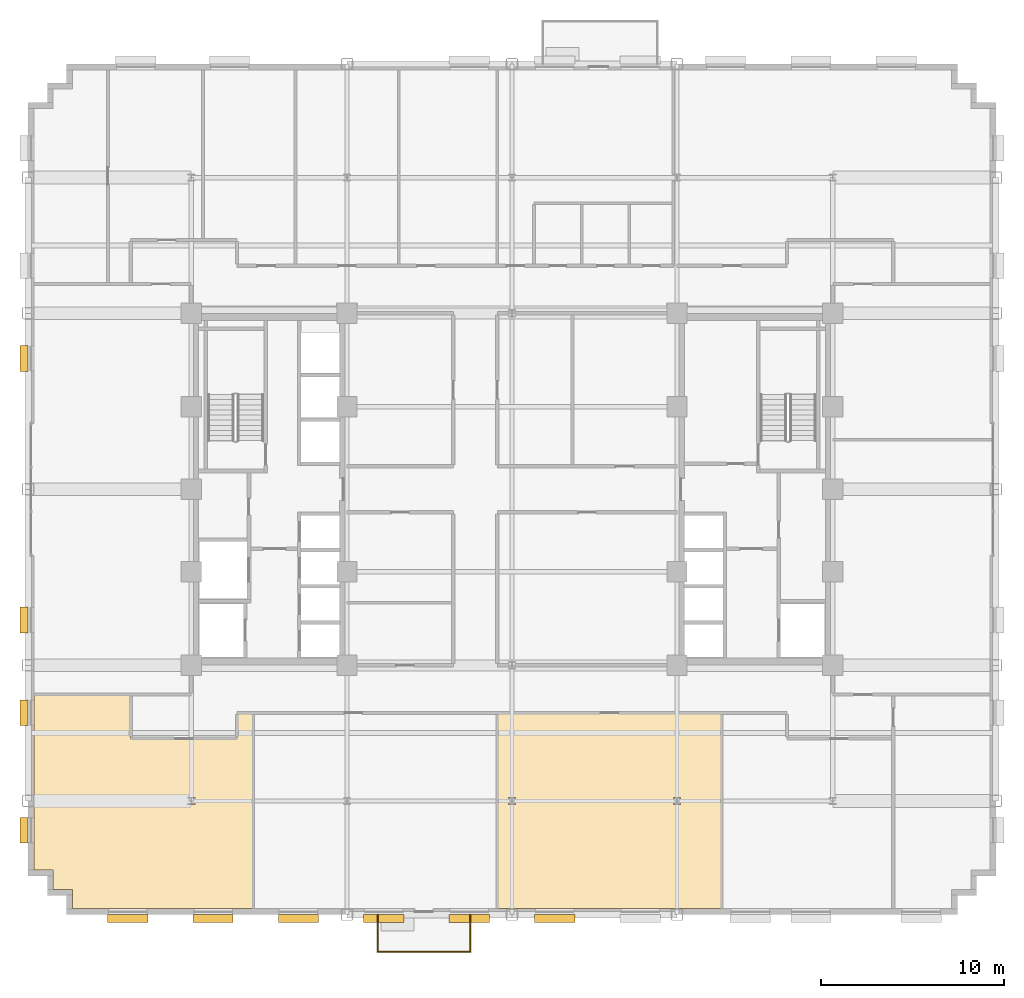
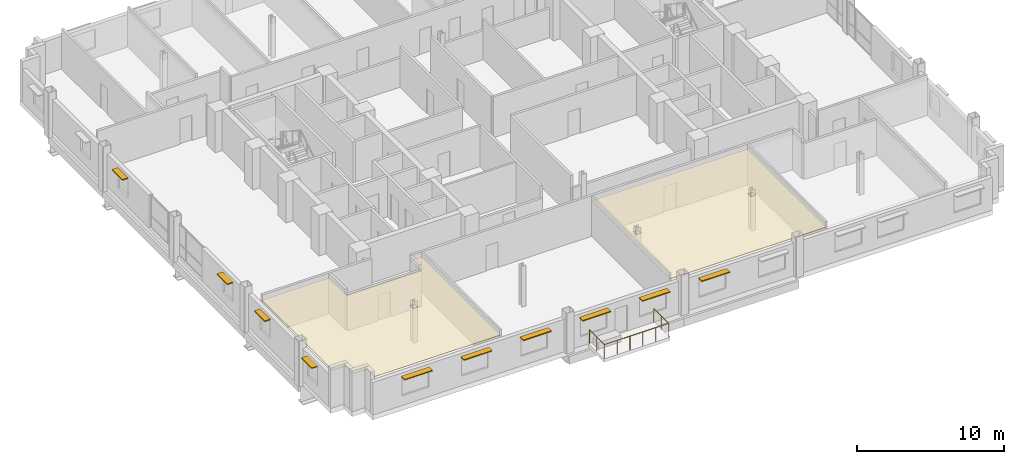
# One storey, part 13 of 16: 10 shading devices, 2 coverings, 1 railing.
"""IFC4 building model written with IfcOpenShell, lengths in metres."""

import ifcopenshell
import ifcopenshell.guid

model = None  # the IFC model being written
_history = None  # IfcOwnerHistory: only IFC2X3 demands one
_inside = {}  # id of a spatial element -> (the spatial element, [elements in it])
_under = {}  # id of a project, library or spatial element -> (it, [spatial elements below it])
_declared = {}  # id of a project -> (the project, [libraries it declares])
_typed = {}  # id of a type object -> (the type object, [elements of that type])
_made_of = {}  # id of a material, layer set ... -> (it, [elements and type objects made of it])


def new_model(schema):
    """Start an empty IFC model of exactly this schema.

    Asked for "IFC4X3", IfcOpenShell would pick the latest addendum, in which some entities
    have other attributes; the version numbers below select the first issue.
    IFC2X3 requires an IfcOwnerHistory on every rooted entity: one is made here for all.
    """
    global model, _history
    if schema == "IFC4X3":
        model = ifcopenshell.file(schema_version=(4, 3, 0, 0))
    else:
        model = ifcopenshell.file(schema=schema)
    _inside.clear()
    _under.clear()
    _declared.clear()
    _typed.clear()
    _made_of.clear()
    _history = None
    if model.schema == "IFC2X3":
        org = make("IfcOrganization", Name="unknown")
        user = make(
            "IfcPersonAndOrganization",
            ThePerson=make("IfcPerson", FamilyName="unknown"),
            TheOrganization=org,
        )
        app = make(
            "IfcApplication",
            ApplicationDeveloper=org,
            Version="unknown",
            ApplicationFullName="unknown",
            ApplicationIdentifier="unknown",
        )
        _history = make(
            "IfcOwnerHistory",
            OwningUser=user,
            OwningApplication=app,
            ChangeAction="ADDED",
            CreationDate=0,
        )
    return model


def make(cls, **values):
    """One entity of the class cls with the attributes given. An attribute that is None is left unset."""
    return model.create_entity(
        cls, **{name: value for name, value in values.items() if value is not None}
    )


def rooted(cls, **values):
    """An entity with a GlobalId (a new one), such as an element, a storey or a relation."""
    return make(cls, GlobalId=ifcopenshell.guid.new(), OwnerHistory=_history, **values)


def si_unit(unit_type, name, prefix=None):
    """IfcSIUnit, for example si_unit("LENGTHUNIT", "METRE", prefix="MILLI")."""
    return make("IfcSIUnit", UnitType=unit_type, Prefix=prefix, Name=name)


def assignment(units):
    """IfcUnitAssignment: the units of a project."""
    return None if units is None else make("IfcUnitAssignment", Units=units)


def point(xyz):
    """IfcCartesianPoint."""
    return None if xyz is None else make("IfcCartesianPoint", Coordinates=xyz)


def direction(xyz):
    """IfcDirection."""
    return None if xyz is None else make("IfcDirection", DirectionRatios=xyz)


def frame(location, z_axis=None, x_axis=None):
    """IfcAxis2Placement3D, a coordinate frame: its origin and axes. An axis left out is left unset."""
    return make(
        "IfcAxis2Placement3D",
        Location=point(location),
        Axis=direction(z_axis),
        RefDirection=direction(x_axis),
    )


def frame_2d(location, x_axis=None):
    """IfcAxis2Placement2D, a coordinate frame in the plane: its origin and x axis."""
    return make(
        "IfcAxis2Placement2D", Location=point(location), RefDirection=direction(x_axis)
    )


def origin():
    """The frame at (0, 0, 0) with its axes left unset."""
    return frame((0.0, 0.0, 0.0))


def origin_2d():
    """The frame at (0, 0) in the plane with its x axis left unset."""
    return frame_2d((0.0, 0.0))


def place(relative_to, where):
    """IfcLocalPlacement: puts the frame where relative to a parent placement (None: the world)."""
    return make(
        "IfcLocalPlacement", PlacementRelTo=relative_to, RelativePlacement=where
    )


def context(
    kind, dimensions, precision=None, world=None, true_north=None, identifier=None
):
    """IfcGeometricRepresentationContext, for example the 3D "Model" context."""
    return make(
        "IfcGeometricRepresentationContext",
        ContextIdentifier=identifier,
        ContextType=kind,
        CoordinateSpaceDimension=dimensions,
        Precision=precision,
        WorldCoordinateSystem=world,
        TrueNorth=true_north,
    )


def subcontext(parent, identifier, kind, view, scale=None):
    """IfcGeometricRepresentationSubContext, for example "Body" below "Model"."""
    return make(
        "IfcGeometricRepresentationSubContext",
        ContextIdentifier=identifier,
        ContextType=kind,
        ParentContext=parent,
        TargetScale=scale,
        TargetView=view,
    )


def project(units=None, contexts=None):
    """IfcProject with its units and contexts."""
    return rooted(
        "IfcProject",
        Name="project",
        RepresentationContexts=contexts,
        UnitsInContext=assignment(units),
    )


def spatial(cls, under=None, at=None, **own):
    """A site, building, storey or space (cls), placed at a placement, below another one or the project."""
    s = rooted(cls, ObjectPlacement=at, **own)
    if under is not None:
        _under.setdefault(under.id(), (under, []))[1].append(s)
    return s


def polyline(points):
    """IfcPolyline through the points."""
    return make("IfcPolyline", Points=[point(p) for p in points])


def profile(cls, at=None, kind="AREA", **sizes):
    """A parametric profile (cls). Its sizes go by their IFC names, for example OverallWidth=200.0."""
    return make(cls, ProfileType=kind, Position=at, **sizes)


def rectangle(**sizes):
    """IfcRectangleProfileDef."""
    return profile("IfcRectangleProfileDef", **sizes)


def circle(**sizes):
    """IfcCircleProfileDef."""
    return profile("IfcCircleProfileDef", **sizes)


def outline(outer, holes=None, kind="AREA"):
    """IfcArbitraryClosedProfileDef: a profile drawn as a closed curve; with holes, ...WithVoids."""
    if holes is None:
        return make("IfcArbitraryClosedProfileDef", ProfileType=kind, OuterCurve=outer)
    return make(
        "IfcArbitraryProfileDefWithVoids",
        ProfileType=kind,
        OuterCurve=outer,
        InnerCurves=holes,
    )


def extrude(swept, where, along, depth):
    """IfcExtrudedAreaSolid: the profile swept, set in the frame where, extruded along a direction by depth."""
    return make(
        "IfcExtrudedAreaSolid",
        SweptArea=swept,
        Position=where,
        ExtrudedDirection=direction(along),
        Depth=depth,
    )


def shape(context_of_items, identifier, shape_type, items):
    """IfcShapeRepresentation: the items that make up one representation, for example the "Body"."""
    return make(
        "IfcShapeRepresentation",
        ContextOfItems=context_of_items,
        RepresentationIdentifier=identifier,
        RepresentationType=shape_type,
        Items=items,
    )


def source(mapping_origin, context_of_items, identifier, shape_type, items):
    """IfcRepresentationMap: a shape defined once, which mapped items show again and again."""
    return make(
        "IfcRepresentationMap",
        MappingOrigin=mapping_origin,
        MappedRepresentation=shape(context_of_items, identifier, shape_type, items),
    )


def transform(
    local_origin,
    x_axis=None,
    y_axis=None,
    z_axis=None,
    scale=None,
    scale2=None,
    scale3=None,
    uniform=True,
):
    """IfcCartesianTransformationOperator3D, or its non-uniform kind. x_axis, y_axis, z_axis: its Axis1, 2, 3."""
    if uniform:
        return make(
            "IfcCartesianTransformationOperator3D",
            Axis1=direction(x_axis),
            Axis2=direction(y_axis),
            LocalOrigin=point(local_origin),
            Scale=scale,
            Axis3=direction(z_axis),
        )
    return make(
        "IfcCartesianTransformationOperator3DnonUniform",
        Axis1=direction(x_axis),
        Axis2=direction(y_axis),
        LocalOrigin=point(local_origin),
        Scale=scale,
        Axis3=direction(z_axis),
        Scale2=scale2,
        Scale3=scale3,
    )


def mapped(mapping_source, mapping_target):
    """IfcMappedItem: shows the shape of a source again, moved by a transform."""
    return make(
        "IfcMappedItem", MappingSource=mapping_source, MappingTarget=mapping_target
    )


def material(Name=None, Category=None):
    """IfcMaterial."""
    return make("IfcMaterial", Name=Name, Category=Category)


def layer(
    of_material, thickness, ventilated=None, Name=None, Category=None, Priority=None
):
    """IfcMaterialLayer: one layer of a wall or slab, of a material (None: an air gap)."""
    return make(
        "IfcMaterialLayer",
        Material=of_material,
        LayerThickness=thickness,
        IsVentilated=ventilated,
        Name=Name,
        Category=Category,
        Priority=Priority,
    )


def layer_set(layers, Name=None):
    """IfcMaterialLayerSet."""
    return make("IfcMaterialLayerSet", MaterialLayers=layers, LayerSetName=Name)


def made_of(thing, what):
    """Note that an element or type object is made of a material, layer set ...; save() writes the relation."""
    if what is not None:
        _made_of.setdefault(what.id(), (what, []))[1].append(thing)
    return thing


def type_object(cls, material=None, **own):
    """A type object (cls), such as IfcWallType, which elements share."""
    return made_of(rooted(cls, **own), material)


def type_shapes(of_type, sources):
    """Give a type object the sources (RepresentationMaps) that its elements show as mapped items."""
    of_type.RepresentationMaps = sources


def element(
    cls,
    number,
    at=None,
    inside=None,
    cuts=None,
    type_object=None,
    material=None,
    context=None,
    identifier="Body",
    shape_type=None,
    held_by="IfcProductDefinitionShape",
    body=None,
    shapes=None,
    **own,
):
    """One element of the class cls, such as IfcWall. Its Tag is "e" and its number.

    at: its placement. inside: the storey or other place that contains it. cuts: it is an
    opening in that element (IfcRelVoidsElement). A single representation is given by context,
    identifier, shape_type and body (its items); several are given by shapes. held_by: the class
    of the entity that holds the representations. save() writes the other relations.
    """
    e = rooted(cls, Tag="e%d" % number, ObjectPlacement=at, **own)
    if body is not None:
        shapes = [shape(context, identifier, shape_type, body)]
    if shapes is not None:
        e.Representation = make(held_by, Representations=shapes)
    if inside is not None:
        _inside.setdefault(inside.id(), (inside, []))[1].append(e)
    if cuts is not None:
        rooted(
            "IfcRelVoidsElement", RelatingBuildingElement=cuts, RelatedOpeningElement=e
        )
    if type_object is not None:
        _typed.setdefault(type_object.id(), (type_object, []))[1].append(e)
    return made_of(e, material)


def aggregate(whole, parts):
    """IfcRelAggregates: a whole, such as a stair, and the parts it consists of."""
    return rooted("IfcRelAggregates", RelatingObject=whole, RelatedObjects=parts)


def save(model, path):
    """Write the relations noted so far, then the file.

    IfcRelAggregates (storeys below a building ...), IfcRelContainedInSpatialStructure (elements
    in a storey), IfcRelDefinesByType, IfcRelAssociatesMaterial and IfcRelDeclares: one each for
    every whole, place, type object, material and project.
    """
    for whole, parts in _under.values():
        aggregate(whole, parts)
    for where, things in _inside.values():
        rooted(
            "IfcRelContainedInSpatialStructure",
            RelatedElements=things,
            RelatingStructure=where,
        )
    for kind, things in _typed.values():
        rooted("IfcRelDefinesByType", RelatedObjects=things, RelatingType=kind)
    for what, things in _made_of.values():
        rooted("IfcRelAssociatesMaterial", RelatedObjects=things, RelatingMaterial=what)
    for by, libraries in _declared.values():
        rooted("IfcRelDeclares", RelatingContext=by, RelatedDefinitions=libraries)
    model.write(path)


model = new_model("IFC4")

# Units and contexts
model_context = context("Model", 3, precision=1e-05, world=origin(), true_north=direction((0.0, 1.0)))
body_context = subcontext(model_context, "Body", "Model", "MODEL_VIEW")
ifc_project = project(units=[si_unit("LENGTHUNIT", "METRE"), si_unit("AREAUNIT", "SQUARE_METRE"), si_unit("VOLUMEUNIT", "CUBIC_METRE"), si_unit("PLANEANGLEUNIT", "RADIAN"), si_unit("MASSUNIT", "GRAM", prefix="KILO")], contexts=[model_context])

# Site, building, storey
site_placement = place(None, origin())
site = spatial("IfcSite", under=ifc_project, at=site_placement, CompositionType="ELEMENT")
building_placement = place(site_placement, origin())
building = spatial("IfcBuilding", under=site, at=building_placement, Name="Nuvemarco Arch Tower", CompositionType="ELEMENT")
storey_placement = place(building_placement, frame((0.0, 0.0, 116.550048828125)))
storey = spatial("IfcBuildingStorey", under=building, at=storey_placement, Name="L30", CompositionType="ELEMENT", Elevation=116.550048828125)

# Coverings
ifc_material_1 = material(Name="Mineral acoustic ceiling tile")
ifc_layer = layer(ifc_material_1, 0.0400390625, Name="COV-ACOUSTIC-CLG")
ifc_layer_set = layer_set([ifc_layer], Name="Mineral acoustic ceiling tile")
covering_type = type_object("IfcCoveringType", Name="COV-ACOUSTIC-CLG", PredefinedType="CEILING", material=ifc_layer_set)
covering_1_placement = place(storey_placement, frame((0.0, 0.0, 2.849853515625)))
element("IfcCovering", 1, at=covering_1_placement, inside=storey, type_object=covering_type, Name="L30 suspended acoustic ceiling 2", PredefinedType="CEILING", context=body_context, shape_type="SweptSolid", body=[
    extrude(outline(polyline([(9.340087890625, -22.8798828125), (9.340087890625, -22.860107421875), (8.659912109375, -22.860107421875), (8.659912109375, -22.8798828125), (0.340087890625, -22.8798828125), (0.340087890625, -22.860107421875), (-0.340087890625, -22.860107421875), (-0.340087890625, -22.8798828125), (-0.800048828125, -22.8798828125), (-0.800048828125, -12.199951171875), (11.43994140625, -12.199951171875), (11.43994140625, -22.8798828125), (9.340087890625, -22.8798828125)]), holes=[polyline([(0.195068359375, -17.195068359375), (0.195068359375, -16.804931640625), (-0.195068359375, -16.804931640625), (-0.195068359375, -17.195068359375), (0.195068359375, -17.195068359375)]), polyline([(9.195068359375, -17.195068359375), (9.195068359375, -16.804931640625), (8.804931640625, -16.804931640625), (8.804931640625, -17.195068359375), (9.195068359375, -17.195068359375)])]), origin(), (0.0, 0.0, 1.0), 0.0400390625),
])
covering_2_placement = place(storey_placement, frame((0.0, 0.0, 2.849853515625)))
element("IfcCovering", 2, at=covering_2_placement, inside=storey, type_object=covering_type, Name="L30 suspended acoustic ceiling 3", PredefinedType="CEILING", context=body_context, shape_type="SweptSolid", body=[
    extrude(outline(polyline([(-26.080078125, -20.780029296875), (-26.080078125, -17.340087890625), (-26.06005859375, -17.340087890625), (-26.06005859375, -16.659912109375), (-26.080078125, -16.659912109375), (-26.080078125, -11.199951171875), (-20.800048828125, -11.199951171875), (-20.800048828125, -13.60009765625), (-15.0, -13.60009765625), (-15.0, -12.199951171875), (-14.110107421875, -12.199951171875), (-14.110107421875, -22.8798828125), (-23.97998046875, -22.8798828125), (-23.97998046875, -21.830078125), (-25.030029296875, -21.830078125), (-25.030029296875, -20.780029296875), (-26.080078125, -20.780029296875)]), holes=[polyline([(-17.304931640625, -16.804931640625), (-17.695068359375, -16.804931640625), (-17.695068359375, -17.195068359375), (-17.304931640625, -17.195068359375), (-17.304931640625, -16.804931640625)])]), origin(), (0.0, 0.0, 1.0), 0.0400390625),
])

# Railing
ifc_material_2 = material(Name="Dark anodised balustrade steel S355", Category="steel")
railing_type = type_object("IfcRailingType", Name="RL-TERR-GUARD", PredefinedType="BALUSTRADE", material=ifc_material_2)
railing_placement = place(storey_placement, frame((-7.320068359375, -23.199951171875, 0.0)))
element("IfcRailing", 3, at=railing_placement, inside=storey, type_object=railing_type, Name="L30 tree balcony perimeter balustrade guard", PredefinedType="BALUSTRADE", context=body_context, shape_type="SweptSolid", body=[
    extrude(circle(Radius=0.02392578125, at=origin_2d()), frame((0.0, 0.0, 1.1259765625), z_axis=(0.0, -1.0, 0.0), x_axis=(1.0, 0.0, 0.0)), (0.0, 0.0, 1.0), 2.02001953125),
    extrude(circle(Radius=0.02392578125, at=origin_2d()), frame((0.0, -2.02001953125, 1.1259765625), z_axis=(1.0, 0.0, 0.0), x_axis=(0.0, 1.0, 0.0)), (0.0, 0.0, 1.0), 5.0400390625),
    extrude(circle(Radius=0.02392578125, at=origin_2d()), frame((5.0400390625, -2.02001953125, 1.1259765625), z_axis=(0.0, 1.0, 0.0), x_axis=(-1.0, 0.0, 0.0)), (0.0, 0.0, 1.0), 2.02001953125),
    extrude(circle(Radius=0.02099609375, at=origin_2d()), origin(), (0.0, 0.0, 1.0), 1.101806640625),
    extrude(circle(Radius=0.02099609375, at=origin_2d()), frame((0.0, -1.010009765625, 0.0)), (0.0, 0.0, 1.0), 1.101806640625),
    extrude(circle(Radius=0.02099609375, at=origin_2d()), frame((0.0, -2.02001953125, 0.0)), (0.0, 0.0, 1.0), 1.101806640625),
    extrude(circle(Radius=0.02099609375, at=origin_2d()), frame((1.008056640625, -2.02001953125, 0.0)), (0.0, 0.0, 1.0), 1.101806640625),
    extrude(circle(Radius=0.02099609375, at=origin_2d()), frame((2.01611328125, -2.02001953125, 0.0)), (0.0, 0.0, 1.0), 1.101806640625),
    extrude(circle(Radius=0.02099609375, at=origin_2d()), frame((3.02392578125, -2.02001953125, 0.0)), (0.0, 0.0, 1.0), 1.101806640625),
    extrude(circle(Radius=0.02099609375, at=origin_2d()), frame((4.031982421875, -2.02001953125, 0.0)), (0.0, 0.0, 1.0), 1.101806640625),
    extrude(circle(Radius=0.02099609375, at=origin_2d()), frame((5.0400390625, -2.02001953125, 0.0)), (0.0, 0.0, 1.0), 1.101806640625),
    extrude(circle(Radius=0.02099609375, at=origin_2d()), frame((5.0400390625, -1.010009765625, 0.0)), (0.0, 0.0, 1.0), 1.101806640625),
    extrude(circle(Radius=0.02099609375, at=origin_2d()), frame((5.0400390625, 0.0, 0.0)), (0.0, 0.0, 1.0), 1.101806640625),
])

# Shading devices
ifc_material_3 = material(Name="Anodised aluminium 6063-T6", Category="aluminium")
shading_device_type_1 = type_object("IfcShadingDeviceType", Name="SHD-BRISE-SOLEIL", PredefinedType="USERDEFINED", material=ifc_material_3)
shared_shape_1 = source(origin(), body_context, "Body", "SweptSolid", [
    extrude(rectangle(XDim=2.199951171875, YDim=0.449951171875, at=origin_2d()), origin(), (0.0, 0.0, 1.0), 0.080078125),
])
type_shapes(shading_device_type_1, [shared_shape_1])
for number, where, z_axis, x_axis, name in (
    (4, (-20.969970703125, -23.4150390625, 2.364990234375), (0.0, 0.0, 1.0), (1.0, 0.0, 0.0), "L30 horizontal brise-soleil sunshade"),
    (5, (-16.31005859375, -23.4150390625, 2.364990234375), (0.0, 0.0, 1.0), (1.0, 0.0, 0.0), "L30 horizontal brise-soleil sunshade"),
    (6, (-11.64990234375, -23.4150390625, 2.364990234375), (0.0, 0.0, 1.0), (1.0, 0.0, 0.0), "L30 horizontal brise-soleil sunshade"),
    (7, (-6.989990234375, -23.4150390625, 2.364990234375), (0.0, 0.0, 1.0), (1.0, 0.0, 0.0), "L30 horizontal brise-soleil sunshade"),
    (8, (-2.330078125, -23.4150390625, 2.364990234375), (0.0, 0.0, 1.0), (1.0, 0.0, 0.0), "L30 horizontal brise-soleil sunshade"),
    (9, (2.330078125, -23.4150390625, 2.364990234375), (0.0, 0.0, 1.0), (1.0, 0.0, 0.0), "L30 horizontal brise-soleil sunshade"),
):
    element("IfcShadingDevice", number, at=place(storey_placement, frame(where, z_axis=z_axis, x_axis=x_axis)), inside=storey, type_object=shading_device_type_1, Name=name, ObjectType="SUNSHADE", PredefinedType="USERDEFINED", context=body_context, shape_type="MappedRepresentation", body=[
        mapped(shared_shape_1, transform((0.0, 0.0, 0.0), scale=1.0)),
    ])
shading_device_type_2 = type_object("IfcShadingDeviceType", Name="SHD-BRISE-NARROW", PredefinedType="USERDEFINED", material=ifc_material_3)
shared_shape_2 = source(origin(), body_context, "Body", "SweptSolid", [
    extrude(rectangle(XDim=1.39990234375, YDim=0.449951171875, at=origin_2d()), origin(), (0.0, 0.0, 1.0), 0.080078125),
])
type_shapes(shading_device_type_2, [shared_shape_2])
for number, where, z_axis, x_axis, name in (
    (10, (-26.614990234375, -18.603271484375, 2.364990234375), (0.0, 0.0, 1.0), (0.0, 1.0, 0.0), "L30 horizontal brise-soleil sunshade"),
    (11, (-26.614990234375, -12.19189453125, 2.364990234375), (0.0, 0.0, 1.0), (0.0, 1.0, 0.0), "L30 horizontal brise-soleil sunshade"),
    (12, (-26.614990234375, -7.130615234375, 2.364990234375), (0.0, 0.0, 1.0), (0.0, 1.0, 0.0), "L30 horizontal brise-soleil sunshade"),
    (13, (-26.614990234375, 7.130615234375, 2.364990234375), (0.0, 0.0, 1.0), (0.0, 1.0, 0.0), "L30 horizontal brise-soleil sunshade"),
):
    element("IfcShadingDevice", number, at=place(storey_placement, frame(where, z_axis=z_axis, x_axis=x_axis)), inside=storey, type_object=shading_device_type_2, Name=name, ObjectType="SUNSHADE", PredefinedType="USERDEFINED", context=body_context, shape_type="MappedRepresentation", body=[
        mapped(shared_shape_2, transform((0.0, 0.0, 0.0), scale=1.0)),
    ])

save(model, "model.ifc")
